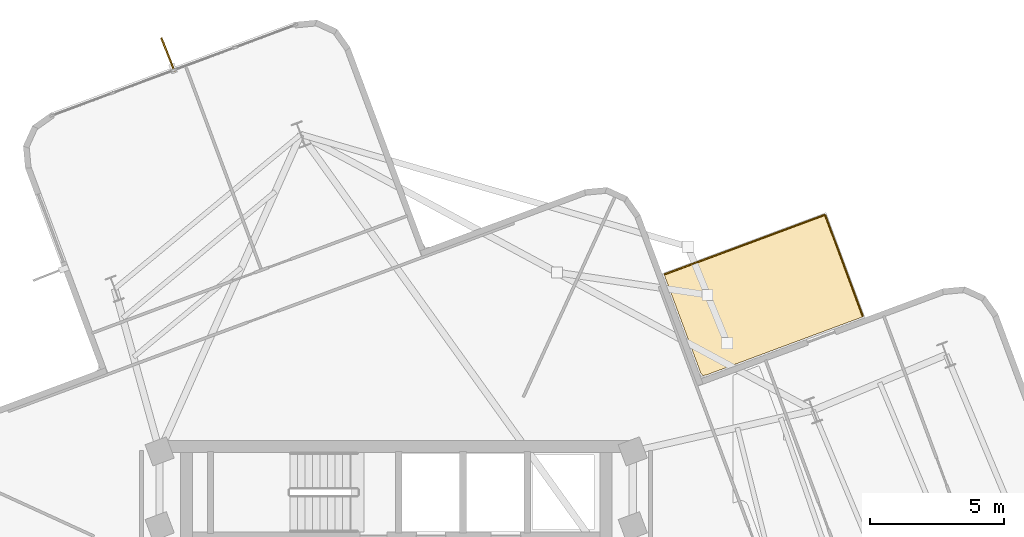
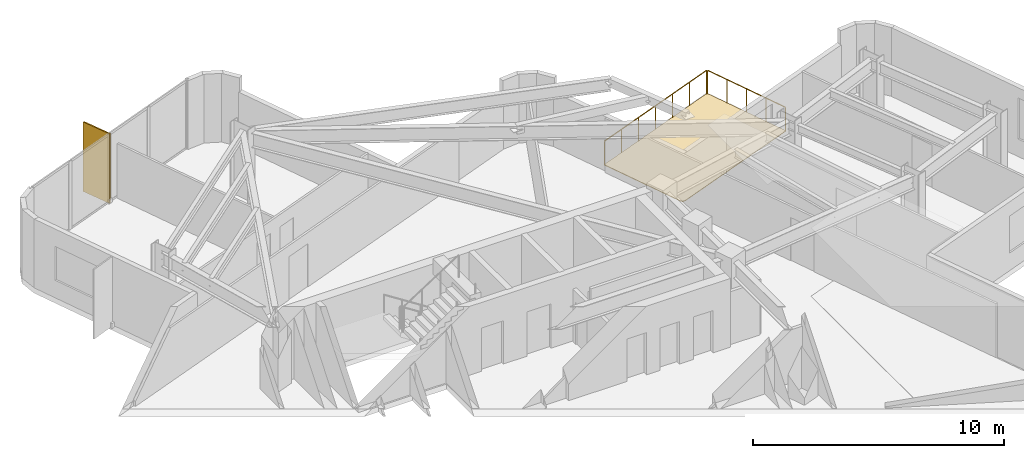
# One storey, part 11 of 11: 2 railings, 1 covering, 1 shading device.
"""IFC4 building model written with IfcOpenShell, lengths in metres."""

from ifc_helpers import new_model, si_unit, direction, frame, origin, origin_2d, place, context, subcontext, project, spatial, polyline, rectangle, circle, outline, extrude, material, layer, layer_set, type_object, element, save


model = new_model("IFC4")

# Units and contexts
model_context = context("Model", 3, precision=1e-05, world=origin(), true_north=direction((0.0, 1.0)))
body_context = subcontext(model_context, "Body", "Model", "MODEL_VIEW")
ifc_project = project(units=[si_unit("LENGTHUNIT", "METRE"), si_unit("AREAUNIT", "SQUARE_METRE"), si_unit("VOLUMEUNIT", "CUBIC_METRE"), si_unit("PLANEANGLEUNIT", "RADIAN"), si_unit("MASSUNIT", "GRAM", prefix="KILO")], contexts=[model_context])

# Site, building, storey
site_placement = place(None, origin())
site = spatial("IfcSite", under=ifc_project, at=site_placement, CompositionType="ELEMENT")
building_placement = place(site_placement, origin())
building = spatial("IfcBuilding", under=site, at=building_placement, Name="Solmarez Civic Tower", CompositionType="ELEMENT")
storey_placement = place(building_placement, frame((0.0, 0.0, 170.280029296875)))
storey = spatial("IfcBuildingStorey", under=building, at=storey_placement, Name="L45", CompositionType="ELEMENT", Elevation=170.280029296875)

# Covering
ifc_material_1 = material(Name="Elastomeric Terrace Waterproofing Membrane")
ifc_layer_1 = layer(ifc_material_1, 0.030029296875)
ifc_layer_set_1 = layer_set([ifc_layer_1], Name="Elastomeric Terrace Waterproofing Membrane")
covering_type = type_object("IfcCoveringType", Name="COV-MEMBRANE-ROOF", PredefinedType="ROOFING", material=ifc_layer_set_1)
covering_placement = place(storey_placement, origin())
element("IfcCovering", 1, at=covering_placement, inside=storey, type_object=covering_type, Name="L45 Balcony Waterproofing NE", PredefinedType="ROOFING", context=body_context, shape_type="SweptSolid", body=[
    extrude(outline(polyline([(11.387939453125, 11.297119140625), (11.462890625, 11.193115234375), (11.591064453125, 11.205078125), (17.468017578125, 13.389892578125), (16.047119140625, 17.212890625), (10.02099609375, 14.972900390625), (11.387939453125, 11.297119140625)])), origin(), (0.0, 0.0, 1.0), 0.030029296875),
])

# Shading device
ifc_material_2 = material(Name="Bronze Anodised Aluminium EN AW-6063 T6", Category="aluminium")
ifc_layer_2 = layer(ifc_material_2, 0.06005859375)
ifc_layer_set_2 = layer_set([ifc_layer_2], Name="Bronze Anodised Aluminium EN AW-6063 T6")
shading_device_type = type_object("IfcShadingDeviceType", Name="FIN-BRONZE-Z34", PredefinedType="USERDEFINED", material=ifc_layer_set_2)
shading_device_placement = place(storey_placement, frame((-8.5400390625, 23.193115234375, -0.0400390625), z_axis=(0.0, 0.0, 1.0), x_axis=(-0.366907163073, 0.93025756309, 0.0)))
element("IfcShadingDevice", 2, at=shading_device_placement, inside=storey, type_object=shading_device_type, Name="L45 Anodised Bronze Solar Fin FIN-L45-04", ObjectType="FIN", PredefinedType="USERDEFINED", context=body_context, shape_type="SweptSolid", body=[
    extrude(rectangle(XDim=1.35009765625, YDim=0.06005859375, at=origin_2d()), origin(), (0.0, 0.0, 1.0), 3.3798828125),
])

# Railings
ifc_material_3 = material(Name="Bronze Anodised Aluminium and Laminated Safety Glass Balustrade", Category="aluminium")
railing_type = type_object("IfcRailingType", Name="GUARD-TERR-1180", PredefinedType="BALUSTRADE", material=ifc_material_3)
railing_1_placement = place(storey_placement, frame((17.4560546875, 13.423095703125, 0.0)))
element("IfcRailing", 3, at=railing_1_placement, inside=storey, type_object=railing_type, Name="L45 Safety Balustrade GRD-BALC-L45-NE-1", PredefinedType="BALUSTRADE", context=body_context, shape_type="SweptSolid", body=[
    extrude(circle(Radius=0.02392578125, at=origin_2d()), frame((0.0, 0.0, 1.15576171875), z_axis=(-0.348532133749, 0.937296832249, 0.0), x_axis=(-0.937296832249, -0.348532133749, 0.0)), (0.0, 0.0, 1.0), 4.008056640625),
    extrude(circle(Radius=0.02099609375, at=origin_2d()), origin(), (0.0, 0.0, 1.0), 1.1318359375),
    extrude(circle(Radius=0.02099609375, at=origin_2d()), frame((-0.34912109375, 0.939208984375, 0.0)), (0.0, 0.0, 1.0), 1.1318359375),
    extrude(circle(Radius=0.02099609375, at=origin_2d()), frame((-0.698486328125, 1.87841796875, 0.0)), (0.0, 0.0, 1.0), 1.1318359375),
    extrude(circle(Radius=0.02099609375, at=origin_2d()), frame((-1.0478515625, 2.817626953125, 0.0)), (0.0, 0.0, 1.0), 1.1318359375),
    extrude(circle(Radius=0.02099609375, at=origin_2d()), frame((-1.39697265625, 3.7568359375, 0.0)), (0.0, 0.0, 1.0), 1.1318359375),
])
railing_2_placement = place(storey_placement, frame((16.013916015625, 17.200927734375, 0.0)))
element("IfcRailing", 4, at=railing_2_placement, inside=storey, type_object=railing_type, Name="L45 Safety Balustrade GRD-BALC-L45-NE-2", PredefinedType="BALUSTRADE", context=body_context, shape_type="SweptSolid", body=[
    extrude(circle(Radius=0.02392578125, at=origin_2d()), frame((0.0, 0.0, 1.15576171875), z_axis=(-0.937316374052, -0.348479576065, 0.0), x_axis=(0.348479576065, -0.937316374052, 0.0)), (0.0, 0.0, 1.0), 6.358642578125),
    extrude(circle(Radius=0.02099609375, at=origin_2d()), origin(), (0.0, 0.0, 1.0), 1.1318359375),
    extrude(circle(Radius=0.02099609375, at=origin_2d()), frame((-0.993408203125, -0.369384765625, 0.0)), (0.0, 0.0, 1.0), 1.1318359375),
    extrude(circle(Radius=0.02099609375, at=origin_2d()), frame((-1.986572265625, -0.738525390625, 0.0)), (0.0, 0.0, 1.0), 1.1318359375),
    extrude(circle(Radius=0.02099609375, at=origin_2d()), frame((-2.97998046875, -1.10791015625, 0.0)), (0.0, 0.0, 1.0), 1.1318359375),
    extrude(circle(Radius=0.02099609375, at=origin_2d()), frame((-3.973388671875, -1.477294921875, 0.0)), (0.0, 0.0, 1.0), 1.1318359375),
    extrude(circle(Radius=0.02099609375, at=origin_2d()), frame((-4.966552734375, -1.846435546875, 0.0)), (0.0, 0.0, 1.0), 1.1318359375),
    extrude(circle(Radius=0.02099609375, at=origin_2d()), frame((-5.9599609375, -2.2158203125, 0.0)), (0.0, 0.0, 1.0), 1.1318359375),
])

save(model, "model.ifc")
